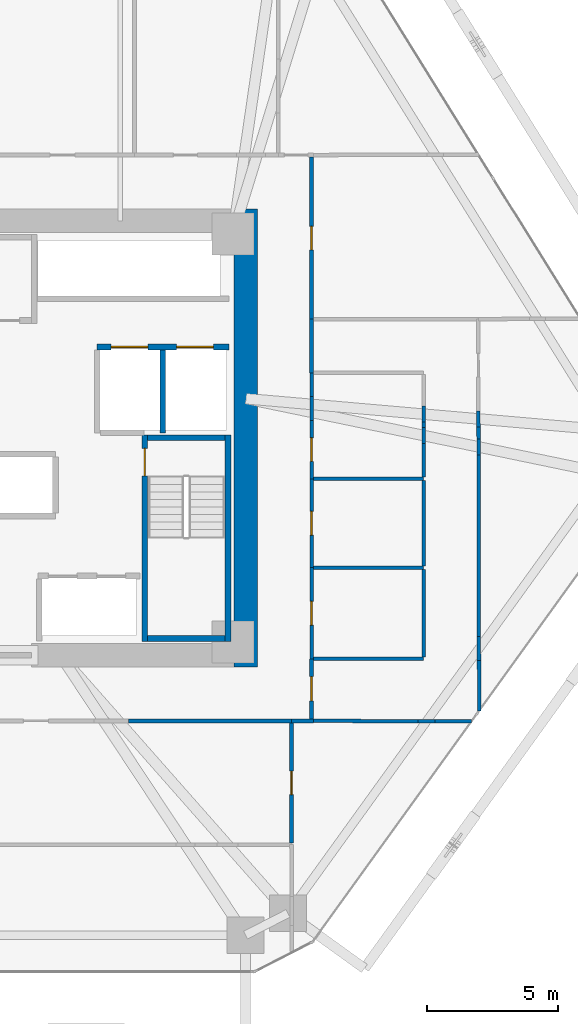
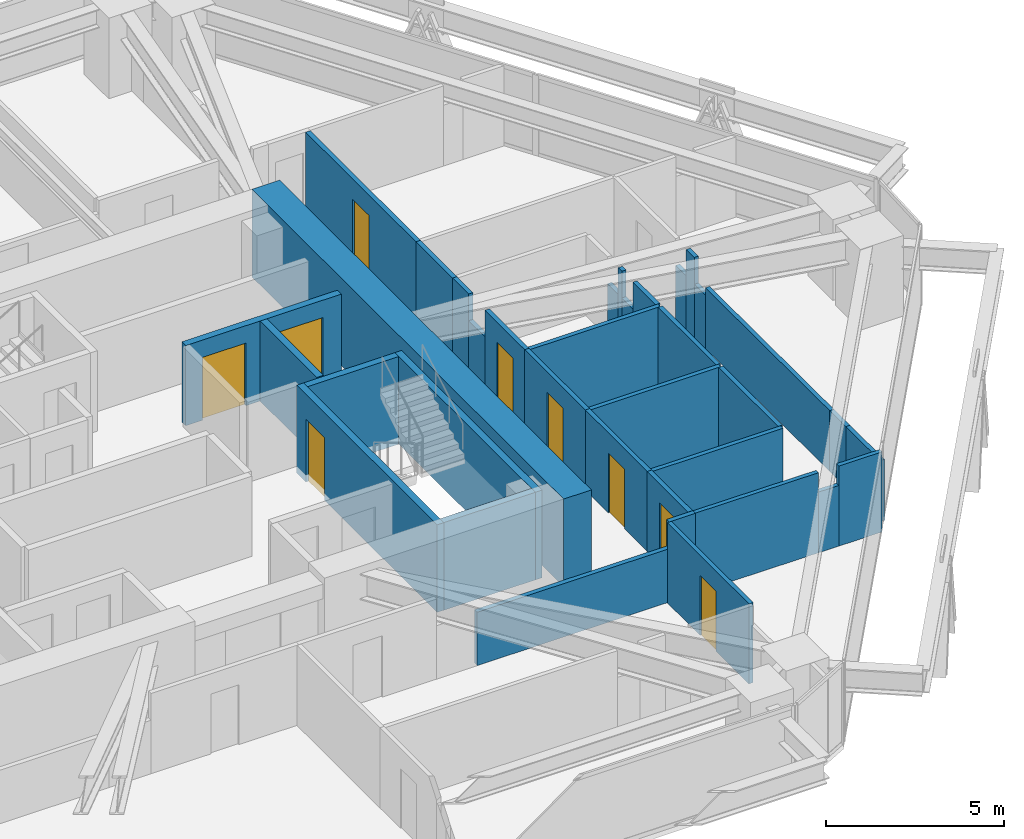
# One storey, part 15 of 18: 36 walls, 9 doors, 9 openings.
"""IFC4 building model written with IfcOpenShell, lengths in metres."""

from ifc_helpers import new_model, si_unit, direction, frame, frame_2d, origin, place, context, subcontext, project, spatial, rectangle, extrude, source, transform, mapped, material, layer, layer_set, type_object, type_shapes, element, fill, save


model = new_model("IFC4")

# Units and contexts
model_context = context("Model", 3, precision=1e-05, world=origin(), true_north=direction((0.0, 1.0)))
body_context = subcontext(model_context, "Body", "Model", "MODEL_VIEW")
ifc_project = project(units=[si_unit("LENGTHUNIT", "METRE"), si_unit("AREAUNIT", "SQUARE_METRE"), si_unit("VOLUMEUNIT", "CUBIC_METRE"), si_unit("PLANEANGLEUNIT", "RADIAN"), si_unit("MASSUNIT", "GRAM", prefix="KILO")], contexts=[model_context])

# Site, building, storey
site_placement = place(None, origin())
site = spatial("IfcSite", under=ifc_project, at=site_placement, CompositionType="ELEMENT")
building_placement = place(site_placement, origin())
building = spatial("IfcBuilding", under=site, at=building_placement, Name="Durnholm Broadcast Tower", CompositionType="ELEMENT")
storey_placement = place(building_placement, frame((0.0, 0.0, 78.300048828125)))
storey = spatial("IfcBuildingStorey", under=building, at=storey_placement, Name="L20", CompositionType="ELEMENT", Elevation=78.300048828125)

# Wall
ifc_material_1 = material(Name="Concrete C70/85", Category="concrete")
ifc_layer_1 = layer(ifc_material_1, 0.89990234375)
ifc_layer_set_1 = layer_set([ifc_layer_1], Name="Concrete C70/85")
wall_type_1 = type_object("IfcWallType", Name="WALL-CW-900", PredefinedType="SHEAR", material=ifc_layer_set_1)
wall_1_placement = place(storey_placement, frame((10.300048828125, -8.75, 0.0), z_axis=(0.0, 0.0, 1.0), x_axis=(0.0, 1.0, 0.0)))
element("IfcWall", 1, at=wall_1_placement, inside=storey, type_object=wall_type_1, Name="L20 central core shear wall CW-EAST", PredefinedType="SHEAR", context=body_context, shape_type="SweptSolid", body=[
    extrude(rectangle(XDim=17.5, YDim=0.89990234375, at=frame_2d((8.75, 0.0))), origin(), (0.0, 0.0, 1.0), 3.0),
])

# Wall, opening, door
ifc_material_2 = material(Name="Gypsum Metal Stud Partition", Category="concrete")
ifc_layer_2 = layer(ifc_material_2, 0.135009765625)
ifc_layer_set_2 = layer_set([ifc_layer_2], Name="Gypsum Metal Stud Partition")
wall_type_2 = type_object("IfcWallType", Name="WALL-PART-135", PredefinedType="PARTITIONING", material=ifc_layer_set_2)
wall_2_placement = place(storey_placement, frame((12.0400390625, -10.888916015625, 0.0), z_axis=(0.0, 0.0, 1.0), x_axis=(0.0, -1.0, 0.0)))
wall_2 = element("IfcWall", 2, at=wall_2_placement, inside=storey, type_object=wall_type_2, Name="L20 room dividing partition 16.17", PredefinedType="PARTITIONING", context=body_context, shape_type="SweptSolid", body=[
    extrude(rectangle(XDim=4.58447265625, YDim=0.135009765625, at=frame_2d((2.292236328125, 0.0))), origin(), (0.0, 0.0, 1.0), 2.744873046875),
])
opening_1_placement = place(wall_2_placement, frame((1.84228515625, 0.0, 0.0)))
opening_1 = element("IfcOpeningElement", 3, at=opening_1_placement, cuts=wall_2, Name="Opening DW-90L", PredefinedType="OPENING", context=body_context, shape_type="SweptSolid", body=[
    extrude(rectangle(XDim=0.89990234375, YDim=2.050048828125, at=frame_2d((0.449951171875, 1.02490234375))), frame((0.0, 0.07763671875, 0.0), z_axis=(0.0, -1.0, 0.0), x_axis=(1.0, 0.0, 0.0)), (0.0, 0.0, 1.0), 0.155029296875),
])
ifc_material_3 = material(Name="Laminate Restroom Door", Category="steel")
ifc_layer_3 = layer(ifc_material_3, 0.050048828125)
ifc_layer_set_3 = layer_set([ifc_layer_3], Name="Laminate Restroom Door")
door_type_1 = type_object("IfcDoorType", Name="DOOR-WC-900L", OperationType="NOTDEFINED", PredefinedType="DOOR", material=ifc_layer_set_3)
shared_shape_1 = source(origin(), body_context, "Body", "SweptSolid", [
    extrude(rectangle(XDim=0.89990234375, YDim=2.050048828125, at=frame_2d((0.449951171875, 1.02490234375))), frame((0.0, 0.02490234375, 0.0), z_axis=(0.0, -1.0, 0.0), x_axis=(1.0, 0.0, 0.0)), (0.0, 0.0, 1.0), 0.050048828125),
])
type_shapes(door_type_1, [shared_shape_1])
door_1_placement = place(opening_1_placement, origin())
door_1 = element("IfcDoor", 4, at=door_1_placement, inside=storey, type_object=door_type_1, Name="L20 Documentary Office 2 connecting door", OperationType="SINGLE_SWING_LEFT", OverallHeight=2.050048828125, OverallWidth=0.89990234375, PredefinedType="DOOR", context=body_context, shape_type="MappedRepresentation", body=[
    mapped(shared_shape_1, transform((0.0, 0.0, 0.0), x_axis=(1.0, 0.0, 0.0), y_axis=(0.0, 1.0, 0.0), z_axis=(0.0, 0.0, 1.0), scale=1.0)),
])
fill(opening_1, door_1)

# Walls
wall_3_placement = place(storey_placement, frame((12.889892578125, -10.810302734375, 0.0), z_axis=(0.0, 0.0, 1.0), x_axis=(0.999992552799, -0.003859319458, 0.0)))
element("IfcWall", 5, at=wall_3_placement, inside=storey, type_object=wall_type_2, Name="L20 room dividing partition 17.21", PredefinedType="PARTITIONING", context=body_context, shape_type="SweptSolid", body=[
    extrude(rectangle(XDim=3.9853515625, YDim=0.135009765625, at=frame_2d((1.99267578125, 0.0))), origin(), (0.0, 0.0, 1.0), 2.744873046875),
])
wall_4_placement = place(storey_placement, frame((17.52587890625, -10.828125, 0.0), z_axis=(0.0, 0.0, 1.0), x_axis=(0.999992598457, -0.003847470648, 0.0)))
element("IfcWall", 6, at=wall_4_placement, inside=storey, type_object=wall_type_2, Name="L20 room dividing partition 17.21", PredefinedType="PARTITIONING", context=body_context, shape_type="SweptSolid", body=[
    extrude(rectangle(XDim=1.39599609375, YDim=0.135009765625, at=frame_2d((0.697998046875, 0.0))), origin(), (0.0, 0.0, 1.0), 2.744873046875),
])
wall_5_placement = place(storey_placement, frame((16.875244140625, -10.82568359375, 0.0), z_axis=(0.0, 0.0, 1.0), x_axis=(0.999992960027, -0.003752318799, 0.0)))
element("IfcWall", 7, at=wall_5_placement, inside=storey, type_object=wall_type_2, Name="L20 room dividing partition 17.21", PredefinedType="PARTITIONING", context=body_context, shape_type="SweptSolid", body=[
    extrude(rectangle(XDim=0.650634765625, YDim=0.135009765625, at=frame_2d((0.3251953125, 0.0))), origin(), (0.0, 0.0, 1.0), 2.079833984375),
])
wall_6_placement = place(storey_placement, frame((19.185791015625, 0.423583984375, 0.0), z_axis=(0.0, 0.0, 1.0), x_axis=(0.002668080151, -0.999996440668, 0.0)))
element("IfcWall", 8, at=wall_6_placement, inside=storey, type_object=wall_type_2, Name="L20 room dividing partition 21.22", PredefinedType="PARTITIONING", context=body_context, shape_type="SweptSolid", body=[
    extrude(rectangle(XDim=0.45751953125, YDim=0.135009765625, at=frame_2d((0.228759765625, 0.0))), origin(), (0.0, 0.0, 1.0), 2.744873046875),
])
wall_7_placement = place(storey_placement, frame((19.188232421875, -0.65087890625, 0.0), z_axis=(0.0, 0.0, 1.0), x_axis=(0.002179256688, -0.999997625417, 0.0)))
element("IfcWall", 9, at=wall_7_placement, inside=storey, type_object=wall_type_2, Name="L20 room dividing partition 21.22", PredefinedType="PARTITIONING", context=body_context, shape_type="SweptSolid", body=[
    extrude(rectangle(XDim=6.94580078125, YDim=0.135009765625, at=frame_2d((3.472900390625, 0.0))), origin(), (0.0, 0.0, 1.0), 2.079833984375),
])
wall_8_placement = place(storey_placement, frame((19.205078125, -8.498779296875, 0.0), z_axis=(0.0, 0.0, 1.0), x_axis=(0.002270428053, -0.999997422575, 0.0)))
element("IfcWall", 10, at=wall_8_placement, inside=storey, type_object=wall_type_2, Name="L20 room dividing partition 21.22", PredefinedType="PARTITIONING", context=body_context, shape_type="SweptSolid", body=[
    extrude(rectangle(XDim=1.935546875, YDim=0.135009765625, at=frame_2d((0.9677734375, 0.0))), origin(), (0.0, 0.0, 1.0), 2.079833984375),
])
wall_9_placement = place(storey_placement, frame((19.1845703125, 1.02978515625, 0.0), z_axis=(0.0, 0.0, 1.0), x_axis=(0.00201368903, -0.999997972526, 0.0)))
element("IfcWall", 11, at=wall_9_placement, inside=storey, type_object=wall_type_2, Name="L20 room dividing partition 21.22", PredefinedType="PARTITIONING", context=body_context, shape_type="SweptSolid", body=[
    extrude(rectangle(XDim=0.606201171875, YDim=0.135009765625, at=frame_2d((0.30322265625, 0.0))), origin(), (0.0, 0.0, 1.0), 1.830078125),
])
wall_10_placement = place(storey_placement, frame((19.18701171875, -0.033935546875, 0.0), z_axis=(0.0, 0.0, 1.0), x_axis=(0.001978626914, -0.999998042516, 0.0)))
element("IfcWall", 12, at=wall_10_placement, inside=storey, type_object=wall_type_2, Name="L20 room dividing partition 21.22", PredefinedType="PARTITIONING", context=body_context, shape_type="SweptSolid", body=[
    extrude(rectangle(XDim=0.616943359375, YDim=0.135009765625, at=frame_2d((0.30859375, 0.0))), origin(), (0.0, 0.0, 1.0), 1.830078125),
])
wall_11_placement = place(storey_placement, frame((19.203369140625, -7.5966796875, 0.0), z_axis=(0.0, 0.0, 1.0), x_axis=(0.001894448563, -0.999998205531, 0.0)))
element("IfcWall", 13, at=wall_11_placement, inside=storey, type_object=wall_type_2, Name="L20 room dividing partition 21.22", PredefinedType="PARTITIONING", context=body_context, shape_type="SweptSolid", body=[
    extrude(rectangle(XDim=0.902099609375, YDim=0.135009765625, at=frame_2d((0.451171875, 0.0))), origin(), (0.0, 0.0, 1.0), 2.079833984375),
])
ifc_material_4 = material(Name="Acoustic Gypsum Stud Partition", Category="concrete")
ifc_layer_4 = layer(ifc_material_4, 0.14990234375)
ifc_layer_set_4 = layer_set([ifc_layer_4], Name="Acoustic Gypsum Stud Partition")
wall_type_3 = type_object("IfcWallType", Name="WALL-PART-150", PredefinedType="PARTITIONING", material=ifc_layer_set_4)
wall_12_placement = place(storey_placement, frame((5.8173828125, -10.81005859375, 0.0), z_axis=(0.0, 0.0, 1.0), x_axis=(1.0, 0.0, 0.0)))
element("IfcWall", 14, at=wall_12_placement, inside=storey, type_object=wall_type_3, Name="L20 Documentary Office 1 corridor partition", PredefinedType="PARTITIONING", context=body_context, shape_type="SweptSolid", body=[
    extrude(rectangle(XDim=6.22265625, YDim=0.14990234375, at=frame_2d((3.111328125, 0.0))), origin(), (0.0, 0.0, 1.0), 1.830078125),
])
wall_13_placement = place(storey_placement, frame((12.0400390625, -10.81005859375, 0.0), z_axis=(0.0, 0.0, 1.0), x_axis=(1.0, 0.0, 0.0)))
element("IfcWall", 15, at=wall_13_placement, inside=storey, type_object=wall_type_3, Name="L20 Documentary Office 2 corridor partition", PredefinedType="PARTITIONING", context=body_context, shape_type="SweptSolid", body=[
    extrude(rectangle(XDim=0.849853515625, YDim=0.14990234375, at=frame_2d((0.4248046875, 0.0))), origin(), (0.0, 0.0, 1.0), 2.744873046875),
])

# Wall, opening, door
wall_14_placement = place(storey_placement, frame((12.81005859375, -10.73095703125, 0.0), z_axis=(0.0, 0.0, 1.0), x_axis=(0.0, 1.0, 0.0)))
wall_14 = element("IfcWall", 16, at=wall_14_placement, inside=storey, type_object=wall_type_3, Name="L20 Media Review Meeting Room corridor partition", PredefinedType="PARTITIONING", context=body_context, shape_type="SweptSolid", body=[
    extrude(rectangle(XDim=2.291015625, YDim=0.14990234375, at=frame_2d((1.1455078125, 0.0))), origin(), (0.0, 0.0, 1.0), 2.744873046875),
])
opening_2_placement = place(wall_14_placement, frame((0.685546875, 0.0, 0.0)))
opening_2 = element("IfcOpeningElement", 17, at=opening_2_placement, cuts=wall_14, Name="Opening DR-92R", PredefinedType="OPENING", context=body_context, shape_type="SweptSolid", body=[
    extrude(rectangle(XDim=0.919921875, YDim=2.10009765625, at=frame_2d((0.4599609375, 1.050048828125))), frame((0.0, 0.0849609375, 0.0), z_axis=(0.0, -1.0, 0.0), x_axis=(1.0, 0.0, 0.0)), (0.0, 0.0, 1.0), 0.169921875),
])
ifc_material_5 = material(Name="Oak Veneer Office Door", Category="wood")
ifc_layer_5 = layer(ifc_material_5, 0.050048828125)
ifc_layer_set_5 = layer_set([ifc_layer_5], Name="Oak Veneer Office Door")
door_type_2 = type_object("IfcDoorType", Name="DOOR-RM-920R", OperationType="NOTDEFINED", PredefinedType="DOOR", material=ifc_layer_set_5)
shared_shape_2 = source(origin(), body_context, "Body", "SweptSolid", [
    extrude(rectangle(XDim=0.919921875, YDim=2.10009765625, at=frame_2d((0.4599609375, 1.050048828125))), frame((0.0, 0.02490234375, 0.0), z_axis=(0.0, -1.0, 0.0), x_axis=(1.0, 0.0, 0.0)), (0.0, 0.0, 1.0), 0.050048828125),
])
type_shapes(door_type_2, [shared_shape_2])
door_2_placement = place(opening_2_placement, origin())
door_2 = element("IfcDoor", 18, at=door_2_placement, inside=storey, type_object=door_type_2, Name="L20 Media Review Meeting Room entrance door", OperationType="SINGLE_SWING_RIGHT", OverallHeight=2.10009765625, OverallWidth=0.919921875, PredefinedType="DOOR", context=body_context, shape_type="MappedRepresentation", body=[
    mapped(shared_shape_2, transform((0.0, 0.0, 0.0), x_axis=(1.0, 0.0, 0.0), y_axis=(0.0, 1.0, 0.0), z_axis=(0.0, 0.0, 1.0), scale=1.0)),
])
fill(opening_2, door_2)

# Wall
wall_15_placement = place(storey_placement, frame((12.81005859375, 2.489990234375, 0.0), z_axis=(0.0, 0.0, 1.0), x_axis=(0.0, 1.0, 0.0)))
element("IfcWall", 19, at=wall_15_placement, inside=storey, type_object=wall_type_3, Name="L20 Media Review Meeting Room corridor partition", PredefinedType="PARTITIONING", context=body_context, shape_type="SweptSolid", body=[
    extrude(rectangle(XDim=2.050048828125, YDim=0.14990234375, at=frame_2d((1.02490234375, 0.0))), origin(), (0.0, 0.0, 1.0), 2.744873046875),
])

# Wall, opening, door
wall_16_placement = place(storey_placement, frame((12.81005859375, 4.5400390625, 0.0), z_axis=(0.0, 0.0, 1.0), x_axis=(0.0, 1.0, 0.0)))
wall_16 = element("IfcWall", 20, at=wall_16_placement, inside=storey, type_object=wall_type_3, Name="L20 Archive Store corridor partition", PredefinedType="PARTITIONING", context=body_context, shape_type="SweptSolid", body=[
    extrude(rectangle(XDim=6.19091796875, YDim=0.14990234375, at=frame_2d((3.095458984375, 0.0))), origin(), (0.0, 0.0, 1.0), 2.744873046875),
])
opening_3_placement = place(wall_16_placement, frame((2.6455078125, 0.0, 0.0)))
opening_3 = element("IfcOpeningElement", 21, at=opening_3_placement, cuts=wall_16, Name="Opening DC-60L", PredefinedType="OPENING", context=body_context, shape_type="SweptSolid", body=[
    extrude(rectangle(XDim=0.89990234375, YDim=2.050048828125, at=frame_2d((0.449951171875, 1.02490234375))), frame((0.0, 0.0849609375, 0.0), z_axis=(0.0, -1.0, 0.0), x_axis=(1.0, 0.0, 0.0)), (0.0, 0.0, 1.0), 0.169921875),
])
ifc_material_6 = material(Name="Fire-Rated Core Service Door", Category="steel")
ifc_layer_6 = layer(ifc_material_6, 0.050048828125)
ifc_layer_set_6 = layer_set([ifc_layer_6], Name="Fire-Rated Core Service Door")
door_type_3 = type_object("IfcDoorType", Name="DOOR-CORE-FD60-L", OperationType="NOTDEFINED", PredefinedType="DOOR", material=ifc_layer_set_6)
shared_shape_3 = source(origin(), body_context, "Body", "SweptSolid", [
    extrude(rectangle(XDim=0.89990234375, YDim=2.050048828125, at=frame_2d((0.449951171875, 1.02490234375))), frame((0.0, 0.02490234375, 0.0), z_axis=(0.0, -1.0, 0.0), x_axis=(1.0, 0.0, 0.0)), (0.0, 0.0, 1.0), 0.050048828125),
])
type_shapes(door_type_3, [shared_shape_3])
door_3_placement = place(opening_3_placement, origin())
door_3 = element("IfcDoor", 22, at=door_3_placement, inside=storey, type_object=door_type_3, Name="L20 Archive Store entrance door", OperationType="SINGLE_SWING_LEFT", OverallHeight=2.050048828125, OverallWidth=0.89990234375, PredefinedType="DOOR", context=body_context, shape_type="MappedRepresentation", body=[
    mapped(shared_shape_3, transform((0.0, 0.0, 0.0), x_axis=(1.0, 0.0, 0.0), y_axis=(0.0, 1.0, 0.0), z_axis=(0.0, 0.0, 1.0), scale=1.0)),
])
fill(opening_3, door_3)

# Wall, openings, doors
ifc_material_7 = material(Name="Concrete Blockwork C30/37", Category="masonry")
ifc_layer_7 = layer(ifc_material_7, 0.219970703125)
ifc_layer_set_7 = layer_set([ifc_layer_7], Name="Concrete Blockwork C30/37")
wall_type_4 = type_object("IfcWallType", Name="WALL-SHAFT-220", PredefinedType="SOLIDWALL", material=ifc_layer_set_7)
wall_17_placement = place(storey_placement, frame((4.60009765625, 3.47998046875, 0.0), z_axis=(0.0, 0.0, 1.0), x_axis=(1.0, 0.0, 0.0)))
wall_17 = element("IfcWall", 23, at=wall_17_placement, inside=storey, type_object=wall_type_4, Name="L20 freight service lifts north front wall", PredefinedType="SOLIDWALL", context=body_context, shape_type="SweptSolid", body=[
    extrude(rectangle(XDim=5.0498046875, YDim=0.219970703125, at=frame_2d((2.52490234375, 0.0))), origin(), (0.0, 0.0, 1.0), 2.744873046875),
])
opening_4_placement = place(wall_17_placement, frame((0.550048828125, 0.0, 0.0)))
opening_4 = element("IfcOpeningElement", 24, at=opening_4_placement, cuts=wall_17, Name="Opening LD-SVL-2", PredefinedType="OPENING", context=body_context, shape_type="SweptSolid", body=[
    extrude(rectangle(XDim=1.39990234375, YDim=2.14990234375, at=frame_2d((0.699951171875, 1.074951171875))), frame((0.0, 0.1201171875, 0.0), z_axis=(0.0, -1.0, 0.0), x_axis=(1.0, 0.0, 0.0)), (0.0, 0.0, 1.0), 0.239990234375),
])
opening_5_placement = place(wall_17_placement, frame((3.050048828125, 0.0, 0.0)))
opening_5 = element("IfcOpeningElement", 25, at=opening_5_placement, cuts=wall_17, Name="Opening LD-SVL-1", PredefinedType="OPENING", context=body_context, shape_type="SweptSolid", body=[
    extrude(rectangle(XDim=1.39990234375, YDim=2.14990234375, at=frame_2d((0.699951171875, 1.074951171875))), frame((0.0, 0.1201171875, 0.0), z_axis=(0.0, -1.0, 0.0), x_axis=(1.0, 0.0, 0.0)), (0.0, 0.0, 1.0), 0.239990234375),
])
ifc_material_8 = material(Name="Freight Elevator Bi-Parting Sliding Landing Door", Category="steel")
ifc_layer_8 = layer(ifc_material_8, 0.050048828125)
ifc_layer_set_8 = layer_set([ifc_layer_8], Name="Freight Elevator Bi-Parting Sliding Landing Door")
door_type_4 = type_object("IfcDoorType", Name="DOOR-LIFT-SVL", OperationType="DOUBLE_DOOR_SLIDING", PredefinedType="DOOR", material=ifc_layer_set_8)
shared_shape_4 = source(origin(), body_context, "Body", "SweptSolid", [
    extrude(rectangle(XDim=1.39990234375, YDim=2.14990234375, at=frame_2d((0.699951171875, 1.074951171875))), frame((0.0, 0.02490234375, 0.0), z_axis=(0.0, -1.0, 0.0), x_axis=(1.0, 0.0, 0.0)), (0.0, 0.0, 1.0), 0.050048828125),
])
type_shapes(door_type_4, [shared_shape_4])
door_4_placement = place(opening_4_placement, origin())
door_4 = element("IfcDoor", 26, at=door_4_placement, inside=storey, type_object=door_type_4, Name="L20 freight service elevator SVL-2 sliding landing door", OperationType="DOUBLE_DOOR_SLIDING", OverallHeight=2.14990234375, OverallWidth=1.39990234375, PredefinedType="DOOR", context=body_context, shape_type="MappedRepresentation", body=[
    mapped(shared_shape_4, transform((0.0, 0.0, 0.0), x_axis=(1.0, 0.0, 0.0), y_axis=(0.0, 1.0, 0.0), z_axis=(0.0, 0.0, 1.0), scale=1.0)),
])
fill(opening_4, door_4)
door_5_placement = place(opening_5_placement, origin())
door_5 = element("IfcDoor", 27, at=door_5_placement, inside=storey, type_object=door_type_4, Name="L20 freight service elevator SVL-1 sliding landing door", OperationType="DOUBLE_DOOR_SLIDING", OverallHeight=2.14990234375, OverallWidth=1.39990234375, PredefinedType="DOOR", context=body_context, shape_type="MappedRepresentation", body=[
    mapped(shared_shape_4, transform((0.0, 0.0, 0.0), x_axis=(1.0, 0.0, 0.0), y_axis=(0.0, 1.0, 0.0), z_axis=(0.0, 0.0, 1.0), scale=1.0)),
])
fill(opening_5, door_5)

# Walls
wall_18_placement = place(storey_placement, frame((7.1201171875, 0.179931640625, 0.0), z_axis=(0.0, 0.0, 1.0), x_axis=(0.0, 1.0, 0.0)))
element("IfcWall", 28, at=wall_18_placement, inside=storey, type_object=wall_type_4, Name="L20 freight service lifts divider wall", PredefinedType="SOLIDWALL", context=body_context, shape_type="SweptSolid", body=[
    extrude(rectangle(XDim=3.18603515625, YDim=0.219970703125, at=frame_2d((1.593017578125, 0.0))), origin(), (0.0, 0.0, 1.0), 2.744873046875),
])
ifc_material_9 = material(Name="Concrete C50/60", Category="concrete")
ifc_layer_9 = layer(ifc_material_9, 0.219970703125)
ifc_layer_set_9 = layer_set([ifc_layer_9], Name="Concrete C50/60")
wall_type_5 = type_object("IfcWallType", Name="WALL-SW-220", PredefinedType="SHEAR", material=ifc_layer_set_9)
wall_19_placement = place(storey_placement, frame((9.610107421875, -7.77001953125, -0.239990234375), z_axis=(0.0, 0.0, 1.0), x_axis=(0.0, 1.0, 0.0)))
element("IfcWall", 29, at=wall_19_placement, inside=storey, type_object=wall_type_5, Name="L20 stair ST-2 structural shaft wall E", PredefinedType="SHEAR", context=body_context, shape_type="SweptSolid", body=[
    extrude(rectangle(XDim=7.89013671875, YDim=0.219970703125, at=frame_2d((3.945068359375, 0.0))), origin(), (0.0, 0.0, 1.0), 3.0),
])

# Wall, opening, door
wall_20_placement = place(storey_placement, frame((6.429931640625, 0.1201171875, -0.239990234375), z_axis=(0.0, 0.0, 1.0), x_axis=(0.0, -1.0, 0.0)))
wall_20 = element("IfcWall", 30, at=wall_20_placement, inside=storey, type_object=wall_type_5, Name="L20 stair ST-2 structural shaft wall W", PredefinedType="SHEAR", context=body_context, shape_type="SweptSolid", body=[
    extrude(rectangle(XDim=7.89013671875, YDim=0.219970703125, at=frame_2d((3.945068359375, 0.0))), origin(), (0.0, 0.0, 1.0), 3.0),
])
opening_6_placement = place(wall_20_placement, frame((0.52001953125, 0.0, 0.0)))
opening_6 = element("IfcOpeningElement", 31, at=opening_6_placement, cuts=wall_20, Name="Opening DS-90R", PredefinedType="OPENING", context=body_context, shape_type="SweptSolid", body=[
    extrude(rectangle(XDim=1.050048828125, YDim=2.14990234375, at=frame_2d((0.52490234375, 1.074951171875))), frame((0.0, 0.1201171875, 0.0), z_axis=(0.0, -1.0, 0.0), x_axis=(1.0, 0.0, 0.0)), (0.0, 0.0, 1.0), 0.239990234375),
])
ifc_material_10 = material(Name="Fire-Rated Steel Door", Category="steel")
ifc_layer_10 = layer(ifc_material_10, 0.050048828125)
ifc_layer_set_10 = layer_set([ifc_layer_10], Name="Fire-Rated Steel Door")
door_type_5 = type_object("IfcDoorType", Name="DOOR-ST-FD90-R", OperationType="NOTDEFINED", PredefinedType="DOOR", material=ifc_layer_set_10)
shared_shape_5 = source(origin(), body_context, "Body", "SweptSolid", [
    extrude(rectangle(XDim=1.050048828125, YDim=2.14990234375, at=frame_2d((0.52490234375, 1.074951171875))), frame((0.0, 0.02490234375, 0.0), z_axis=(0.0, -1.0, 0.0), x_axis=(1.0, 0.0, 0.0)), (0.0, 0.0, 1.0), 0.050048828125),
])
type_shapes(door_type_5, [shared_shape_5])
door_6_placement = place(opening_6_placement, origin())
door_6 = element("IfcDoor", 32, at=door_6_placement, inside=storey, type_object=door_type_5, Name="L20 exit stair ST-2 fire door", OperationType="SINGLE_SWING_RIGHT", OverallHeight=2.14990234375, OverallWidth=1.050048828125, PredefinedType="DOOR", context=body_context, shape_type="MappedRepresentation", body=[
    mapped(shared_shape_5, transform((0.0, 0.0, 0.0), x_axis=(1.0, 0.0, 0.0), y_axis=(0.0, 1.0, 0.0), z_axis=(0.0, 0.0, 1.0), scale=1.0)),
])
fill(opening_6, door_6)

# Walls
for number, where, z_axis, x_axis, name in (
    (33, (6.5400390625, -7.659912109375, -0.239990234375), (0.0, 0.0, 1.0), (1.0, 0.0, 0.0), "L20 stair ST-2 structural shaft wall S"),
    (34, (9.5, 0.010009765625, -0.239990234375), (0.0, 0.0, 1.0), (-1.0, 0.0, 0.0), "L20 stair ST-2 structural shaft wall N"),
):
    element("IfcWall", number, at=place(storey_placement, frame(where, z_axis=z_axis, x_axis=x_axis)), inside=storey, type_object=wall_type_5, Name=name, PredefinedType="SHEAR", context=body_context, shape_type="SweptSolid", body=[
        extrude(rectangle(XDim=2.9599609375, YDim=0.219970703125, at=frame_2d((1.47998046875, 0.0))), origin(), (0.0, 0.0, 1.0), 3.0),
    ])

# Wall, opening, door
ifc_material_11 = material(Name="Moisture-Resistant Tile Partition", Category="concrete")
ifc_layer_11 = layer(ifc_material_11, 0.139892578125)
ifc_layer_set_11 = layer_set([ifc_layer_11], Name="Moisture-Resistant Tile Partition")
wall_type_6 = type_object("IfcWallType", Name="WALL-WC-140", PredefinedType="PARTITIONING", material=ifc_layer_set_11)
wall_21_placement = place(storey_placement, frame((12.81005859375, -8.43994140625, 0.0), z_axis=(0.0, 0.0, 1.0), x_axis=(0.0, 1.0, 0.0)))
wall_21 = element("IfcWall", 35, at=wall_21_placement, inside=storey, type_object=wall_type_6, Name="L20 Men's Restroom corridor partition", PredefinedType="PARTITIONING", context=body_context, shape_type="SweptSolid", body=[
    extrude(rectangle(XDim=3.47998046875, YDim=0.139892578125, at=frame_2d((1.739990234375, 0.0))), origin(), (0.0, 0.0, 1.0), 2.744873046875),
])
opening_7_placement = place(wall_21_placement, frame((1.2900390625, 0.0, 0.0)))
opening_7 = element("IfcOpeningElement", 36, at=opening_7_placement, cuts=wall_21, Name="Opening DW-90R", PredefinedType="OPENING", context=body_context, shape_type="SweptSolid", body=[
    extrude(rectangle(XDim=0.89990234375, YDim=2.050048828125, at=frame_2d((0.449951171875, 1.02490234375))), frame((0.0, 0.080078125, 0.0), z_axis=(0.0, -1.0, 0.0), x_axis=(1.0, 0.0, 0.0)), (0.0, 0.0, 1.0), 0.159912109375),
])
ifc_layer_12 = layer(ifc_material_3, 0.050048828125)
ifc_layer_set_12 = layer_set([ifc_layer_12], Name="Laminate Restroom Door")
door_type_6 = type_object("IfcDoorType", Name="DOOR-WC-900R", OperationType="NOTDEFINED", PredefinedType="DOOR", material=ifc_layer_set_12)
shared_shape_6 = source(origin(), body_context, "Body", "SweptSolid", [
    extrude(rectangle(XDim=0.89990234375, YDim=2.050048828125, at=frame_2d((0.449951171875, 1.02490234375))), frame((0.0, 0.02490234375, 0.0), z_axis=(0.0, -1.0, 0.0), x_axis=(1.0, 0.0, 0.0)), (0.0, 0.0, 1.0), 0.050048828125),
])
type_shapes(door_type_6, [shared_shape_6])
door_7_placement = place(opening_7_placement, origin())
door_7 = element("IfcDoor", 37, at=door_7_placement, inside=storey, type_object=door_type_6, Name="L20 Men's Restroom entrance door", OperationType="SINGLE_SWING_RIGHT", OverallHeight=2.050048828125, OverallWidth=0.89990234375, PredefinedType="DOOR", context=body_context, shape_type="MappedRepresentation", body=[
    mapped(shared_shape_6, transform((0.0, 0.0, 0.0), x_axis=(1.0, 0.0, 0.0), y_axis=(0.0, 1.0, 0.0), z_axis=(0.0, 0.0, 1.0), scale=1.0)),
])
fill(opening_7, door_7)

wall_22_placement = place(storey_placement, frame((12.81005859375, -4.9599609375, 0.0), z_axis=(0.0, 0.0, 1.0), x_axis=(0.0, 1.0, 0.0)))
wall_22 = element("IfcWall", 38, at=wall_22_placement, inside=storey, type_object=wall_type_6, Name="L20 Women's Restroom corridor partition", PredefinedType="PARTITIONING", context=body_context, shape_type="SweptSolid", body=[
    extrude(rectangle(XDim=3.39990234375, YDim=0.139892578125, at=frame_2d((1.699951171875, 0.0))), origin(), (0.0, 0.0, 1.0), 2.744873046875),
])
opening_8_placement = place(wall_22_placement, frame((1.25, 0.0, 0.0)))
opening_8 = element("IfcOpeningElement", 39, at=opening_8_placement, cuts=wall_22, Name="Opening DW-90L", PredefinedType="OPENING", context=body_context, shape_type="SweptSolid", body=[
    extrude(rectangle(XDim=0.89990234375, YDim=2.050048828125, at=frame_2d((0.449951171875, 1.02490234375))), frame((0.0, 0.080078125, 0.0), z_axis=(0.0, -1.0, 0.0), x_axis=(1.0, 0.0, 0.0)), (0.0, 0.0, 1.0), 0.159912109375),
])
door_8_placement = place(opening_8_placement, origin())
door_8 = element("IfcDoor", 40, at=door_8_placement, inside=storey, type_object=door_type_1, Name="L20 Women's Restroom entrance door", OperationType="SINGLE_SWING_LEFT", OverallHeight=2.050048828125, OverallWidth=0.89990234375, PredefinedType="DOOR", context=body_context, shape_type="MappedRepresentation", body=[
    mapped(shared_shape_1, transform((0.0, 0.0, 0.0), x_axis=(1.0, 0.0, 0.0), y_axis=(0.0, 1.0, 0.0), z_axis=(0.0, 0.0, 1.0), scale=1.0)),
])
fill(opening_8, door_8)

wall_23_placement = place(storey_placement, frame((12.81005859375, -1.56005859375, 0.0), z_axis=(0.0, 0.0, 1.0), x_axis=(0.0, 1.0, 0.0)))
wall_23 = element("IfcWall", 41, at=wall_23_placement, inside=storey, type_object=wall_type_6, Name="L20 Accessible Restroom corridor partition", PredefinedType="PARTITIONING", context=body_context, shape_type="SweptSolid", body=[
    extrude(rectangle(XDim=2.231201171875, YDim=0.139892578125, at=frame_2d((1.11572265625, 0.0))), origin(), (0.0, 0.0, 1.0), 2.744873046875),
])
opening_9_placement = place(wall_23_placement, frame((0.66552734375, 0.0, 0.0)))
opening_9 = element("IfcOpeningElement", 42, at=opening_9_placement, cuts=wall_23, Name="Opening DW-90R", PredefinedType="OPENING", context=body_context, shape_type="SweptSolid", body=[
    extrude(rectangle(XDim=0.89990234375, YDim=2.050048828125, at=frame_2d((0.449951171875, 1.02490234375))), frame((0.0, 0.080078125, 0.0), z_axis=(0.0, -1.0, 0.0), x_axis=(1.0, 0.0, 0.0)), (0.0, 0.0, 1.0), 0.159912109375),
])
door_9_placement = place(opening_9_placement, origin())
door_9 = element("IfcDoor", 43, at=door_9_placement, inside=storey, type_object=door_type_6, Name="L20 Accessible Restroom entrance door", OperationType="SINGLE_SWING_RIGHT", OverallHeight=2.050048828125, OverallWidth=0.89990234375, PredefinedType="DOOR", context=body_context, shape_type="MappedRepresentation", body=[
    mapped(shared_shape_6, transform((0.0, 0.0, 0.0), x_axis=(1.0, 0.0, 0.0), y_axis=(0.0, 1.0, 0.0), z_axis=(0.0, 0.0, 1.0), scale=1.0)),
])
fill(opening_9, door_9)

# Walls
wall_24_placement = place(storey_placement, frame((12.81005859375, 1.584716796875, 0.0), z_axis=(0.0, 0.0, 1.0), x_axis=(0.0, 1.0, 0.0)))
element("IfcWall", 44, at=wall_24_placement, inside=storey, type_object=wall_type_6, Name="L20 Accessible Restroom corridor partition", PredefinedType="PARTITIONING", context=body_context, shape_type="SweptSolid", body=[
    extrude(rectangle(XDim=0.9052734375, YDim=0.139892578125, at=frame_2d((0.45263671875, 0.0))), origin(), (0.0, 0.0, 1.0), 2.744873046875),
])
wall_25_placement = place(storey_placement, frame((12.81005859375, 0.671142578125, 0.0), z_axis=(0.0, 0.0, 1.0), x_axis=(0.0, 1.0, 0.0)))
element("IfcWall", 45, at=wall_25_placement, inside=storey, type_object=wall_type_6, Name="L20 Accessible Restroom corridor partition", PredefinedType="PARTITIONING", context=body_context, shape_type="SweptSolid", body=[
    extrude(rectangle(XDim=0.91357421875, YDim=0.139892578125, at=frame_2d((0.456787109375, 0.0))), origin(), (0.0, 0.0, 1.0), 1.830078125),
])
wall_26_placement = place(storey_placement, frame((12.884033203125, -4.9599609375, 0.0), z_axis=(0.0, 0.0, 1.0), x_axis=(1.0, 0.0, 0.0)))
element("IfcWall", 46, at=wall_26_placement, inside=storey, type_object=wall_type_6, Name="L20 room dividing partition 4.5", PredefinedType="PARTITIONING", context=body_context, shape_type="SweptSolid", body=[
    extrude(rectangle(XDim=4.2060546875, YDim=0.139892578125, at=frame_2d((2.10302734375, 0.0))), origin(), (0.0, 0.0, 1.0), 2.744873046875),
])
wall_27_placement = place(storey_placement, frame((17.090087890625, -8.43994140625, 0.0), z_axis=(0.0, 0.0, 1.0), x_axis=(-1.0, 0.0, 0.0)))
element("IfcWall", 47, at=wall_27_placement, inside=storey, type_object=wall_type_6, Name="L20 room dividing partition 4.21", PredefinedType="PARTITIONING", context=body_context, shape_type="SweptSolid", body=[
    extrude(rectangle(XDim=4.201171875, YDim=0.139892578125, at=frame_2d((2.1005859375, 0.0))), origin(), (0.0, 0.0, 1.0), 2.744873046875),
])
wall_28_placement = place(storey_placement, frame((17.090087890625, -5.033935546875, 0.0), z_axis=(0.0, 0.0, 1.0), x_axis=(0.0, -1.0, 0.0)))
element("IfcWall", 48, at=wall_28_placement, inside=storey, type_object=wall_type_6, Name="L20 room dividing partition 4.21", PredefinedType="PARTITIONING", context=body_context, shape_type="SweptSolid", body=[
    extrude(rectangle(XDim=3.33203125, YDim=0.139892578125, at=frame_2d((1.666015625, 0.0))), origin(), (0.0, 0.0, 1.0), 2.744873046875),
])
wall_29_placement = place(storey_placement, frame((12.884033203125, -1.56005859375, 0.0), z_axis=(0.0, 0.0, 1.0), x_axis=(1.0, 0.0, 0.0)))
element("IfcWall", 49, at=wall_29_placement, inside=storey, type_object=wall_type_6, Name="L20 room dividing partition 5.6", PredefinedType="PARTITIONING", context=body_context, shape_type="SweptSolid", body=[
    extrude(rectangle(XDim=4.2060546875, YDim=0.139892578125, at=frame_2d((2.10302734375, 0.0))), origin(), (0.0, 0.0, 1.0), 2.744873046875),
])
wall_30_placement = place(storey_placement, frame((17.090087890625, -1.634033203125, 0.0), z_axis=(0.0, 0.0, 1.0), x_axis=(0.0, -1.0, 0.0)))
element("IfcWall", 50, at=wall_30_placement, inside=storey, type_object=wall_type_6, Name="L20 room dividing partition 5.21", PredefinedType="PARTITIONING", context=body_context, shape_type="SweptSolid", body=[
    extrude(rectangle(XDim=3.251953125, YDim=0.139892578125, at=frame_2d((1.6259765625, 0.0))), origin(), (0.0, 0.0, 1.0), 2.744873046875),
])
wall_31_placement = place(storey_placement, frame((17.090087890625, 0.60595703125, 0.0), z_axis=(0.0, 0.0, 1.0), x_axis=(0.0, -1.0, 0.0)))
element("IfcWall", 51, at=wall_31_placement, inside=storey, type_object=wall_type_6, Name="L20 room dividing partition 6.21", PredefinedType="PARTITIONING", context=body_context, shape_type="SweptSolid", body=[
    extrude(rectangle(XDim=0.205078125, YDim=0.139892578125, at=frame_2d((0.1025390625, 0.0))), origin(), (0.0, 0.0, 1.0), 2.744873046875),
])
wall_32_placement = place(storey_placement, frame((17.090087890625, -0.216064453125, 0.0), z_axis=(0.0, 0.0, 1.0), x_axis=(0.0, -1.0, 0.0)))
element("IfcWall", 52, at=wall_32_placement, inside=storey, type_object=wall_type_6, Name="L20 room dividing partition 6.21", PredefinedType="PARTITIONING", context=body_context, shape_type="SweptSolid", body=[
    extrude(rectangle(XDim=1.27001953125, YDim=0.139892578125, at=frame_2d((0.635009765625, 0.0))), origin(), (0.0, 0.0, 1.0), 2.744873046875),
])
wall_33_placement = place(storey_placement, frame((17.090087890625, 1.212158203125, 0.0), z_axis=(0.0, 0.0, 1.0), x_axis=(0.0, -1.0, 0.0)))
element("IfcWall", 53, at=wall_33_placement, inside=storey, type_object=wall_type_6, Name="L20 room dividing partition 6.21", PredefinedType="PARTITIONING", context=body_context, shape_type="SweptSolid", body=[
    extrude(rectangle(XDim=0.606201171875, YDim=0.139892578125, at=frame_2d((0.30322265625, 0.0))), origin(), (0.0, 0.0, 1.0), 1.830078125),
])
wall_34_placement = place(storey_placement, frame((17.090087890625, 0.40087890625, 0.0), z_axis=(0.0, 0.0, 1.0), x_axis=(0.0, -1.0, 0.0)))
element("IfcWall", 54, at=wall_34_placement, inside=storey, type_object=wall_type_6, Name="L20 room dividing partition 6.21", PredefinedType="PARTITIONING", context=body_context, shape_type="SweptSolid", body=[
    extrude(rectangle(XDim=0.616943359375, YDim=0.139892578125, at=frame_2d((0.30859375, 0.0))), origin(), (0.0, 0.0, 1.0), 1.830078125),
])

save(model, "model.ifc")
